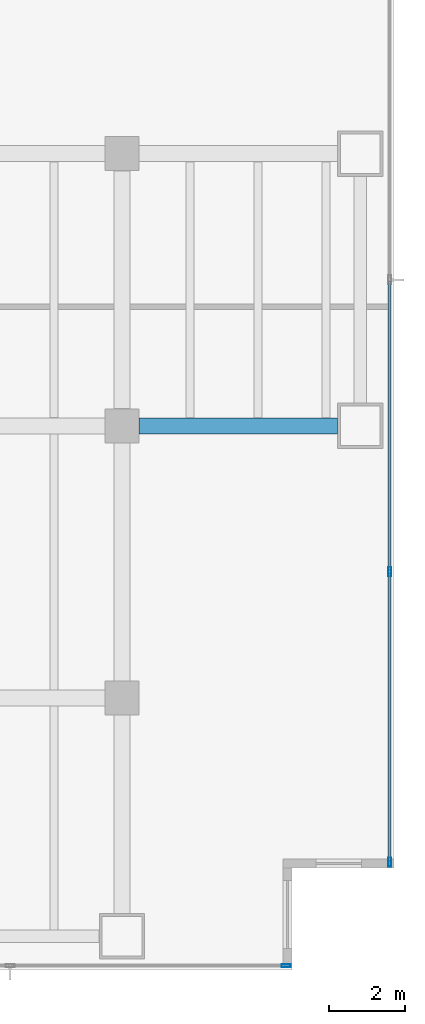
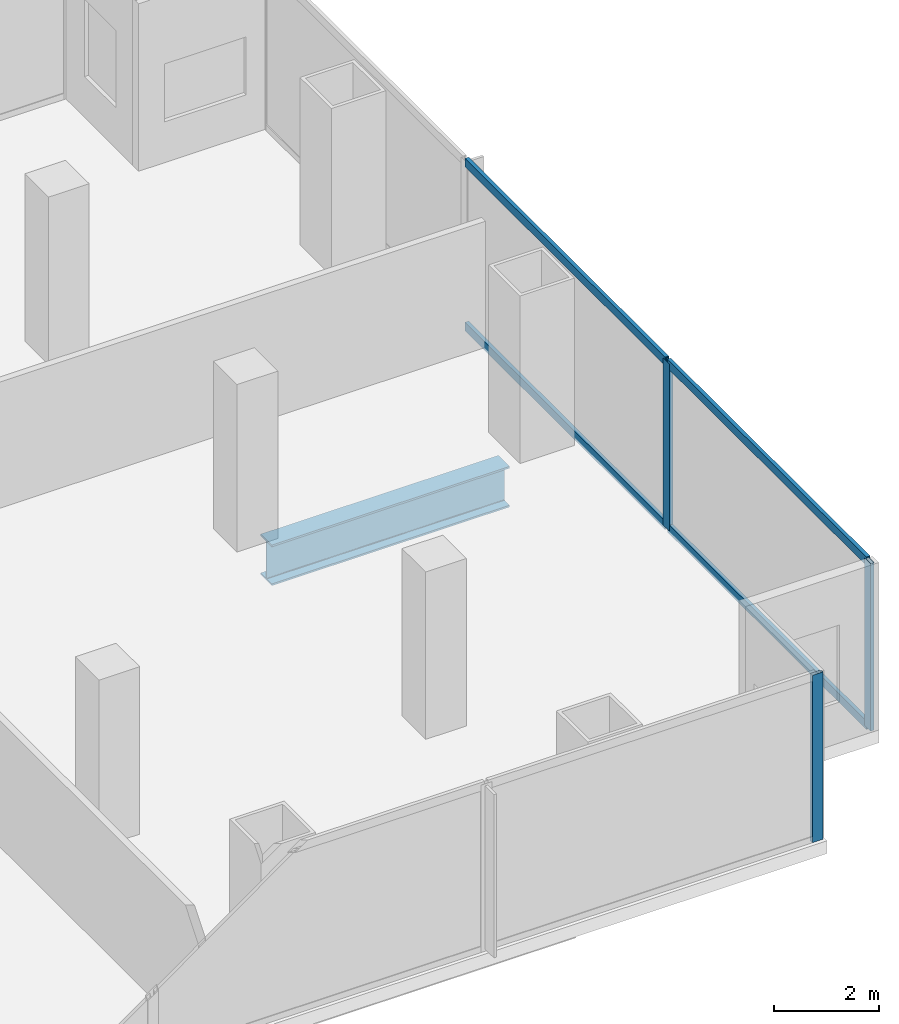
# One storey, part 18 of 31: 7 members, 1 beam, 2 elements without a shape of their own.
"""IFC4 building model written with IfcOpenShell, lengths in metres."""

import ifcopenshell
import ifcopenshell.guid

model = None  # the IFC model being written
_history = None  # IfcOwnerHistory: only IFC2X3 demands one
_inside = {}  # id of a spatial element -> (the spatial element, [elements in it])
_under = {}  # id of a project, library or spatial element -> (it, [spatial elements below it])
_declared = {}  # id of a project -> (the project, [libraries it declares])
_typed = {}  # id of a type object -> (the type object, [elements of that type])
_made_of = {}  # id of a material, layer set ... -> (it, [elements and type objects made of it])


def new_model(schema):
    """Start an empty IFC model of exactly this schema.

    Asked for "IFC4X3", IfcOpenShell would pick the latest addendum, in which some entities
    have other attributes; the version numbers below select the first issue.
    IFC2X3 requires an IfcOwnerHistory on every rooted entity: one is made here for all.
    """
    global model, _history
    if schema == "IFC4X3":
        model = ifcopenshell.file(schema_version=(4, 3, 0, 0))
    else:
        model = ifcopenshell.file(schema=schema)
    _inside.clear()
    _under.clear()
    _declared.clear()
    _typed.clear()
    _made_of.clear()
    _history = None
    if model.schema == "IFC2X3":
        org = make("IfcOrganization", Name="unknown")
        user = make(
            "IfcPersonAndOrganization",
            ThePerson=make("IfcPerson", FamilyName="unknown"),
            TheOrganization=org,
        )
        app = make(
            "IfcApplication",
            ApplicationDeveloper=org,
            Version="unknown",
            ApplicationFullName="unknown",
            ApplicationIdentifier="unknown",
        )
        _history = make(
            "IfcOwnerHistory",
            OwningUser=user,
            OwningApplication=app,
            ChangeAction="ADDED",
            CreationDate=0,
        )
    return model


def make(cls, **values):
    """One entity of the class cls with the attributes given. An attribute that is None is left unset."""
    return model.create_entity(
        cls, **{name: value for name, value in values.items() if value is not None}
    )


def rooted(cls, **values):
    """An entity with a GlobalId (a new one), such as an element, a storey or a relation."""
    return make(cls, GlobalId=ifcopenshell.guid.new(), OwnerHistory=_history, **values)


def si_unit(unit_type, name, prefix=None):
    """IfcSIUnit, for example si_unit("LENGTHUNIT", "METRE", prefix="MILLI")."""
    return make("IfcSIUnit", UnitType=unit_type, Prefix=prefix, Name=name)


def assignment(units):
    """IfcUnitAssignment: the units of a project."""
    return None if units is None else make("IfcUnitAssignment", Units=units)


def point(xyz):
    """IfcCartesianPoint."""
    return None if xyz is None else make("IfcCartesianPoint", Coordinates=xyz)


def direction(xyz):
    """IfcDirection."""
    return None if xyz is None else make("IfcDirection", DirectionRatios=xyz)


def frame(location, z_axis=None, x_axis=None):
    """IfcAxis2Placement3D, a coordinate frame: its origin and axes. An axis left out is left unset."""
    return make(
        "IfcAxis2Placement3D",
        Location=point(location),
        Axis=direction(z_axis),
        RefDirection=direction(x_axis),
    )


def frame_2d(location, x_axis=None):
    """IfcAxis2Placement2D, a coordinate frame in the plane: its origin and x axis."""
    return make(
        "IfcAxis2Placement2D", Location=point(location), RefDirection=direction(x_axis)
    )


def origin():
    """The frame at (0, 0, 0) with its axes left unset."""
    return frame((0.0, 0.0, 0.0))


def origin_2d():
    """The frame at (0, 0) in the plane with its x axis left unset."""
    return frame_2d((0.0, 0.0))


def place(relative_to, where):
    """IfcLocalPlacement: puts the frame where relative to a parent placement (None: the world)."""
    return make(
        "IfcLocalPlacement", PlacementRelTo=relative_to, RelativePlacement=where
    )


def context(
    kind, dimensions, precision=None, world=None, true_north=None, identifier=None
):
    """IfcGeometricRepresentationContext, for example the 3D "Model" context."""
    return make(
        "IfcGeometricRepresentationContext",
        ContextIdentifier=identifier,
        ContextType=kind,
        CoordinateSpaceDimension=dimensions,
        Precision=precision,
        WorldCoordinateSystem=world,
        TrueNorth=true_north,
    )


def subcontext(parent, identifier, kind, view, scale=None):
    """IfcGeometricRepresentationSubContext, for example "Body" below "Model"."""
    return make(
        "IfcGeometricRepresentationSubContext",
        ContextIdentifier=identifier,
        ContextType=kind,
        ParentContext=parent,
        TargetScale=scale,
        TargetView=view,
    )


def project(units=None, contexts=None):
    """IfcProject with its units and contexts."""
    return rooted(
        "IfcProject",
        Name="project",
        RepresentationContexts=contexts,
        UnitsInContext=assignment(units),
    )


def spatial(cls, under=None, at=None, **own):
    """A site, building, storey or space (cls), placed at a placement, below another one or the project."""
    s = rooted(cls, ObjectPlacement=at, **own)
    if under is not None:
        _under.setdefault(under.id(), (under, []))[1].append(s)
    return s


def profile(cls, at=None, kind="AREA", **sizes):
    """A parametric profile (cls). Its sizes go by their IFC names, for example OverallWidth=200.0."""
    return make(cls, ProfileType=kind, Position=at, **sizes)


def hollow_rectangle(**sizes):
    """IfcRectangleHollowProfileDef."""
    return profile("IfcRectangleHollowProfileDef", **sizes)


def i_section(**sizes):
    """IfcIShapeProfileDef."""
    return profile("IfcIShapeProfileDef", **sizes)


def extrude(swept, where, along, depth):
    """IfcExtrudedAreaSolid: the profile swept, set in the frame where, extruded along a direction by depth."""
    return make(
        "IfcExtrudedAreaSolid",
        SweptArea=swept,
        Position=where,
        ExtrudedDirection=direction(along),
        Depth=depth,
    )


def shape(context_of_items, identifier, shape_type, items):
    """IfcShapeRepresentation: the items that make up one representation, for example the "Body"."""
    return make(
        "IfcShapeRepresentation",
        ContextOfItems=context_of_items,
        RepresentationIdentifier=identifier,
        RepresentationType=shape_type,
        Items=items,
    )


def material(Name=None, Category=None):
    """IfcMaterial."""
    return make("IfcMaterial", Name=Name, Category=Category)


def material_profile(
    of_material, cross_section, Name=None, Category=None, Priority=None
):
    """IfcMaterialProfile: a cross section and its material."""
    return make(
        "IfcMaterialProfile",
        Name=Name,
        Material=of_material,
        Profile=cross_section,
        Priority=Priority,
        Category=Category,
    )


def profile_set(profiles, Name=None, composite=None):
    """IfcMaterialProfileSet."""
    return make(
        "IfcMaterialProfileSet",
        Name=Name,
        MaterialProfiles=profiles,
        CompositeProfile=composite,
    )


def made_of(thing, what):
    """Note that an element or type object is made of a material, layer set ...; save() writes the relation."""
    if what is not None:
        _made_of.setdefault(what.id(), (what, []))[1].append(thing)
    return thing


def type_object(cls, material=None, **own):
    """A type object (cls), such as IfcWallType, which elements share."""
    return made_of(rooted(cls, **own), material)


def element(
    cls,
    number,
    at=None,
    inside=None,
    cuts=None,
    type_object=None,
    material=None,
    context=None,
    identifier="Body",
    shape_type=None,
    held_by="IfcProductDefinitionShape",
    body=None,
    shapes=None,
    **own,
):
    """One element of the class cls, such as IfcWall. Its Tag is "e" and its number.

    at: its placement. inside: the storey or other place that contains it. cuts: it is an
    opening in that element (IfcRelVoidsElement). A single representation is given by context,
    identifier, shape_type and body (its items); several are given by shapes. held_by: the class
    of the entity that holds the representations. save() writes the other relations.
    """
    e = rooted(cls, Tag="e%d" % number, ObjectPlacement=at, **own)
    if body is not None:
        shapes = [shape(context, identifier, shape_type, body)]
    if shapes is not None:
        e.Representation = make(held_by, Representations=shapes)
    if inside is not None:
        _inside.setdefault(inside.id(), (inside, []))[1].append(e)
    if cuts is not None:
        rooted(
            "IfcRelVoidsElement", RelatingBuildingElement=cuts, RelatedOpeningElement=e
        )
    if type_object is not None:
        _typed.setdefault(type_object.id(), (type_object, []))[1].append(e)
    return made_of(e, material)


def aggregate(whole, parts):
    """IfcRelAggregates: a whole, such as a stair, and the parts it consists of."""
    return rooted("IfcRelAggregates", RelatingObject=whole, RelatedObjects=parts)


def save(model, path):
    """Write the relations noted so far, then the file.

    IfcRelAggregates (storeys below a building ...), IfcRelContainedInSpatialStructure (elements
    in a storey), IfcRelDefinesByType, IfcRelAssociatesMaterial and IfcRelDeclares: one each for
    every whole, place, type object, material and project.
    """
    for whole, parts in _under.values():
        aggregate(whole, parts)
    for where, things in _inside.values():
        rooted(
            "IfcRelContainedInSpatialStructure",
            RelatedElements=things,
            RelatingStructure=where,
        )
    for kind, things in _typed.values():
        rooted("IfcRelDefinesByType", RelatedObjects=things, RelatingType=kind)
    for what, things in _made_of.values():
        rooted("IfcRelAssociatesMaterial", RelatedObjects=things, RelatingMaterial=what)
    for by, libraries in _declared.values():
        rooted("IfcRelDeclares", RelatingContext=by, RelatedDefinitions=libraries)
    model.write(path)


model = new_model("IFC4")

# Units and contexts
model_context = context("Model", 3, precision=1e-05, world=origin(), true_north=direction((0.0, 1.0)))
body_context = subcontext(model_context, "Body", "Model", "MODEL_VIEW")
ifc_project = project(units=[si_unit("LENGTHUNIT", "METRE"), si_unit("AREAUNIT", "SQUARE_METRE"), si_unit("VOLUMEUNIT", "CUBIC_METRE"), si_unit("PLANEANGLEUNIT", "RADIAN"), si_unit("MASSUNIT", "GRAM", prefix="KILO")], contexts=[model_context])

# Site, building, storey
site_placement = place(None, origin())
site = spatial("IfcSite", under=ifc_project, at=site_placement, CompositionType="ELEMENT")
building_placement = place(site_placement, origin())
building = spatial("IfcBuilding", under=site, at=building_placement, Name="Cobrela Telecom Tower", CompositionType="ELEMENT")
storey_placement = place(building_placement, frame((0.0, 0.0, 9.449951171875)))
storey = spatial("IfcBuildingStorey", under=building, at=storey_placement, Name="L02", CompositionType="ELEMENT", Elevation=9.449951171875)

# Beam
ifc_material_1 = material(Name="Steel ASTM A992 Grade 50", Category="steel")
ifc_material_profile_1 = material_profile(ifc_material_1, i_section(OverallWidth=0.424072265625, OverallDepth=0.947021484375, WebThickness=0.02392578125, FlangeThickness=0.042724609375, FilletRadius=0.02392578125, at=origin_2d()), Name="W36X302")
ifc_profile_set_1 = profile_set([ifc_material_profile_1], Name="Steel ASTM A992 Grade 50")
beam_type = type_object("IfcBeamType", Name="BM-GIRD-01", PredefinedType="USERDEFINED", material=ifc_profile_set_1)
beam_placement = place(storey_placement, frame((79.655029296875, 14.39990234375, -0.7734375), z_axis=(1.0, 0.0, 0.0), x_axis=(0.0, 1.0, 0.0)))
element("IfcBeam", 1, at=beam_placement, inside=storey, type_object=beam_type, Name="L02 Primary Girder X28", ObjectType="GIRDER", PredefinedType="USERDEFINED", context=body_context, shape_type="SweptSolid", body=[
    extrude(i_section(OverallWidth=0.424072265625, OverallDepth=0.947021484375, WebThickness=0.02392578125, FlangeThickness=0.042724609375, FilletRadius=0.02392578125, at=origin_2d()), origin(), (0.0, 0.0, 1.0), 5.239990234375),
])

# Curtain wall, members
ifc_material_2 = material(Name="Anodized Bronze Aluminium 6063-T6", Category="aluminium")
curtain_wall_type = type_object("IfcCurtainWallType", Name="CW-SYS-CONC", PredefinedType="USERDEFINED", material=ifc_material_2)
curtain_wall_1_placement = place(storey_placement, origin())
curtain_wall_1 = element("IfcCurtainWall", 2, at=curtain_wall_1_placement, inside=storey, type_object=curtain_wall_type, Name="L02 Unitised Bronze Curtain Wall 14", ObjectType="UNITISED CURTAIN WALL", PredefinedType="USERDEFINED")
ifc_material_profile_2 = material_profile(ifc_material_2, hollow_rectangle(XDim=0.080078125, YDim=0.239990234375, WallThickness=0.0048828125, at=origin_2d()), Name="ALU 80x240x5")
ifc_profile_set_2 = profile_set([ifc_material_profile_2], Name="Anodized Bronze Aluminium 6063-T6")
member_type_1 = type_object("IfcMemberType", Name="CW-SYS-CONC-MUL", PredefinedType="MULLION", material=ifc_profile_set_2)
member_1_placement = place(storey_placement, frame((86.280029296875, 10.5400390625, 0.0), z_axis=(0.0, 0.0, 1.0), x_axis=(1.0, 0.0, 0.0)))
member_1 = element("IfcMember", 3, at=member_1_placement, type_object=member_type_1, Name="CW-CONC mullion 3", PredefinedType="MULLION", context=body_context, shape_type="SweptSolid", body=[
    extrude(hollow_rectangle(XDim=0.080078125, YDim=0.239990234375, WallThickness=0.0048828125, at=origin_2d()), origin(), (0.0, 0.0, 1.0), 3.900146484375),
])
member_2_placement = place(storey_placement, frame((86.280029296875, 2.860107421875, 0.0), z_axis=(0.0, 0.0, 1.0), x_axis=(1.0, 0.0, 0.0)))
member_2 = element("IfcMember", 4, at=member_2_placement, type_object=member_type_1, Name="CW-CONC mullion 4", PredefinedType="MULLION", context=body_context, shape_type="SweptSolid", body=[
    extrude(hollow_rectangle(XDim=0.080078125, YDim=0.239990234375, WallThickness=0.0048828125, at=origin_2d()), origin(), (0.0, 0.0, 1.0), 3.900146484375),
])

# Curtain wall, member
curtain_wall_2_placement = place(storey_placement, origin())
curtain_wall_2 = element("IfcCurtainWall", 5, at=curtain_wall_2_placement, inside=storey, type_object=curtain_wall_type, Name="L02 Unitised Bronze Curtain Wall 17", ObjectType="UNITISED CURTAIN WALL", PredefinedType="USERDEFINED")
member_3_placement = place(storey_placement, frame((83.5400390625, 0.1201171875, 0.0), z_axis=(0.0, 0.0, 1.0), x_axis=(0.0, -1.0, 0.0)))
member_3 = element("IfcMember", 6, at=member_3_placement, type_object=member_type_1, Name="CW-CONC mullion 1", PredefinedType="MULLION", context=body_context, shape_type="SweptSolid", body=[
    extrude(hollow_rectangle(XDim=0.080078125, YDim=0.239990234375, WallThickness=0.0048828125, at=origin_2d()), origin(), (0.0, 0.0, 1.0), 3.900146484375),
])
aggregate(curtain_wall_2, [member_3])

# Member
ifc_material_profile_3 = material_profile(ifc_material_2, hollow_rectangle(XDim=0.080078125, YDim=0.199951171875, WallThickness=0.00390625, at=origin_2d()), Name="ALU 80x200x4")
ifc_profile_set_3 = profile_set([ifc_material_profile_3], Name="Anodized Bronze Aluminium 6063-T6")
member_type_2 = type_object("IfcMemberType", Name="CW-SYS-CONC-TRN", PredefinedType="USERDEFINED", material=ifc_profile_set_3)
member_4_placement = place(storey_placement, frame((86.280029296875, 18.219970703125, 0.0400390625), z_axis=(0.0, -1.0, 0.0), x_axis=(1.0, 0.0, 0.0)))
member_4 = element("IfcMember", 7, at=member_4_placement, type_object=member_type_2, Name="CW-CONC transom 2.1", ObjectType="TRANSOM", PredefinedType="USERDEFINED", context=body_context, shape_type="SweptSolid", body=[
    extrude(hollow_rectangle(XDim=0.080078125, YDim=0.199951171875, WallThickness=0.00390625, at=origin_2d()), origin(), (0.0, 0.0, 1.0), 7.639892578125),
])

member_5_placement = place(storey_placement, frame((86.280029296875, 18.219970703125, 3.860107421875), z_axis=(0.0, -1.0, 0.0), x_axis=(1.0, 0.0, 0.0)))
member_5 = element("IfcMember", 8, at=member_5_placement, type_object=member_type_2, Name="CW-CONC transom 2.2", ObjectType="TRANSOM", PredefinedType="USERDEFINED", context=body_context, shape_type="SweptSolid", body=[
    extrude(hollow_rectangle(XDim=0.080078125, YDim=0.199951171875, WallThickness=0.00390625, at=origin_2d()), origin(), (0.0, 0.0, 1.0), 7.639892578125),
])

member_6_placement = place(storey_placement, frame((86.280029296875, 10.5, 0.0400390625), z_axis=(0.0, -1.0, 0.0), x_axis=(1.0, 0.0, 0.0)))
member_6 = element("IfcMember", 9, at=member_6_placement, type_object=member_type_2, Name="CW-CONC transom 3.1", ObjectType="TRANSOM", PredefinedType="USERDEFINED", context=body_context, shape_type="SweptSolid", body=[
    extrude(hollow_rectangle(XDim=0.080078125, YDim=0.199951171875, WallThickness=0.00390625, at=origin_2d()), origin(), (0.0, 0.0, 1.0), 7.60009765625),
])

member_7_placement = place(storey_placement, frame((86.280029296875, 10.5, 3.860107421875), z_axis=(0.0, -1.0, 0.0), x_axis=(1.0, 0.0, 0.0)))
member_7 = element("IfcMember", 10, at=member_7_placement, type_object=member_type_2, Name="CW-CONC transom 3.2", ObjectType="TRANSOM", PredefinedType="USERDEFINED", context=body_context, shape_type="SweptSolid", body=[
    extrude(hollow_rectangle(XDim=0.080078125, YDim=0.199951171875, WallThickness=0.00390625, at=origin_2d()), origin(), (0.0, 0.0, 1.0), 7.60009765625),
])

aggregate(curtain_wall_1, [member_1, member_2, member_4, member_5, member_6, member_7])

save(model, "model.ifc")
